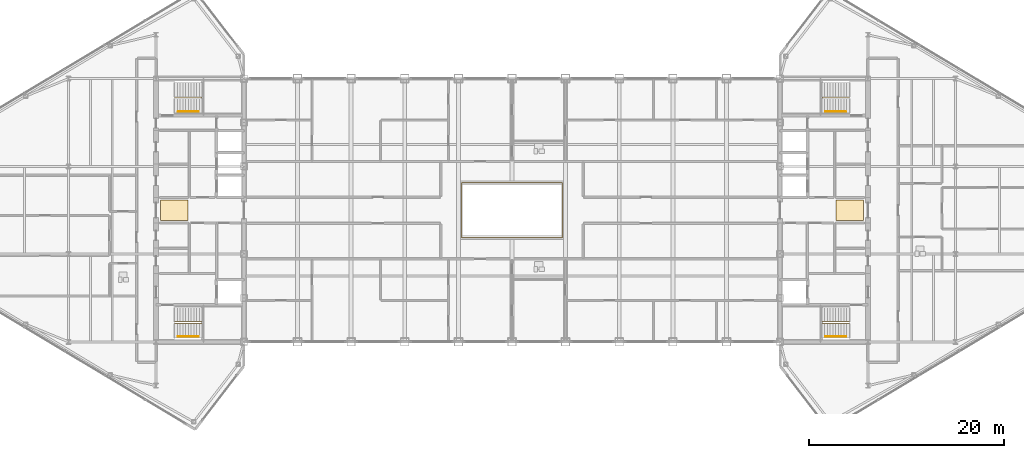
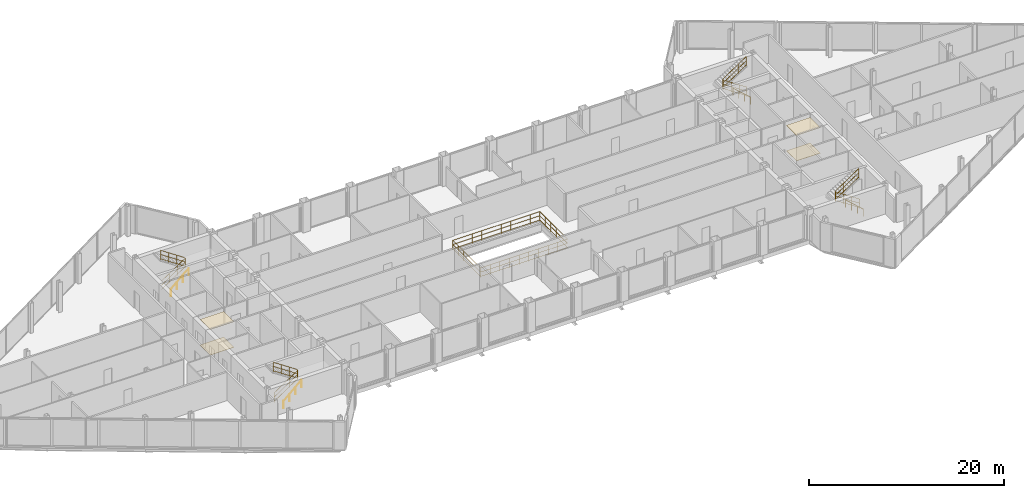
# One storey, part 28 of 29: 9 railings, 4 coverings.
"""IFC4 building model written with IfcOpenShell, lengths in metres."""

import ifcopenshell
import ifcopenshell.guid

model = None  # the IFC model being written
_history = None  # IfcOwnerHistory: only IFC2X3 demands one
_inside = {}  # id of a spatial element -> (the spatial element, [elements in it])
_under = {}  # id of a project, library or spatial element -> (it, [spatial elements below it])
_declared = {}  # id of a project -> (the project, [libraries it declares])
_typed = {}  # id of a type object -> (the type object, [elements of that type])
_made_of = {}  # id of a material, layer set ... -> (it, [elements and type objects made of it])


def new_model(schema):
    """Start an empty IFC model of exactly this schema.

    Asked for "IFC4X3", IfcOpenShell would pick the latest addendum, in which some entities
    have other attributes; the version numbers below select the first issue.
    IFC2X3 requires an IfcOwnerHistory on every rooted entity: one is made here for all.
    """
    global model, _history
    if schema == "IFC4X3":
        model = ifcopenshell.file(schema_version=(4, 3, 0, 0))
    else:
        model = ifcopenshell.file(schema=schema)
    _inside.clear()
    _under.clear()
    _declared.clear()
    _typed.clear()
    _made_of.clear()
    _history = None
    if model.schema == "IFC2X3":
        org = make("IfcOrganization", Name="unknown")
        user = make(
            "IfcPersonAndOrganization",
            ThePerson=make("IfcPerson", FamilyName="unknown"),
            TheOrganization=org,
        )
        app = make(
            "IfcApplication",
            ApplicationDeveloper=org,
            Version="unknown",
            ApplicationFullName="unknown",
            ApplicationIdentifier="unknown",
        )
        _history = make(
            "IfcOwnerHistory",
            OwningUser=user,
            OwningApplication=app,
            ChangeAction="ADDED",
            CreationDate=0,
        )
    return model


def make(cls, **values):
    """One entity of the class cls with the attributes given. An attribute that is None is left unset."""
    return model.create_entity(
        cls, **{name: value for name, value in values.items() if value is not None}
    )


def rooted(cls, **values):
    """An entity with a GlobalId (a new one), such as an element, a storey or a relation."""
    return make(cls, GlobalId=ifcopenshell.guid.new(), OwnerHistory=_history, **values)


def si_unit(unit_type, name, prefix=None):
    """IfcSIUnit, for example si_unit("LENGTHUNIT", "METRE", prefix="MILLI")."""
    return make("IfcSIUnit", UnitType=unit_type, Prefix=prefix, Name=name)


def assignment(units):
    """IfcUnitAssignment: the units of a project."""
    return None if units is None else make("IfcUnitAssignment", Units=units)


def point(xyz):
    """IfcCartesianPoint."""
    return None if xyz is None else make("IfcCartesianPoint", Coordinates=xyz)


def direction(xyz):
    """IfcDirection."""
    return None if xyz is None else make("IfcDirection", DirectionRatios=xyz)


def frame(location, z_axis=None, x_axis=None):
    """IfcAxis2Placement3D, a coordinate frame: its origin and axes. An axis left out is left unset."""
    return make(
        "IfcAxis2Placement3D",
        Location=point(location),
        Axis=direction(z_axis),
        RefDirection=direction(x_axis),
    )


def frame_2d(location, x_axis=None):
    """IfcAxis2Placement2D, a coordinate frame in the plane: its origin and x axis."""
    return make(
        "IfcAxis2Placement2D", Location=point(location), RefDirection=direction(x_axis)
    )


def origin():
    """The frame at (0, 0, 0) with its axes left unset."""
    return frame((0.0, 0.0, 0.0))


def origin_2d():
    """The frame at (0, 0) in the plane with its x axis left unset."""
    return frame_2d((0.0, 0.0))


def place(relative_to, where):
    """IfcLocalPlacement: puts the frame where relative to a parent placement (None: the world)."""
    return make(
        "IfcLocalPlacement", PlacementRelTo=relative_to, RelativePlacement=where
    )


def context(
    kind, dimensions, precision=None, world=None, true_north=None, identifier=None
):
    """IfcGeometricRepresentationContext, for example the 3D "Model" context."""
    return make(
        "IfcGeometricRepresentationContext",
        ContextIdentifier=identifier,
        ContextType=kind,
        CoordinateSpaceDimension=dimensions,
        Precision=precision,
        WorldCoordinateSystem=world,
        TrueNorth=true_north,
    )


def subcontext(parent, identifier, kind, view, scale=None):
    """IfcGeometricRepresentationSubContext, for example "Body" below "Model"."""
    return make(
        "IfcGeometricRepresentationSubContext",
        ContextIdentifier=identifier,
        ContextType=kind,
        ParentContext=parent,
        TargetScale=scale,
        TargetView=view,
    )


def project(units=None, contexts=None):
    """IfcProject with its units and contexts."""
    return rooted(
        "IfcProject",
        Name="project",
        RepresentationContexts=contexts,
        UnitsInContext=assignment(units),
    )


def spatial(cls, under=None, at=None, **own):
    """A site, building, storey or space (cls), placed at a placement, below another one or the project."""
    s = rooted(cls, ObjectPlacement=at, **own)
    if under is not None:
        _under.setdefault(under.id(), (under, []))[1].append(s)
    return s


def polyline(points):
    """IfcPolyline through the points."""
    return make("IfcPolyline", Points=[point(p) for p in points])


def profile(cls, at=None, kind="AREA", **sizes):
    """A parametric profile (cls). Its sizes go by their IFC names, for example OverallWidth=200.0."""
    return make(cls, ProfileType=kind, Position=at, **sizes)


def circle(**sizes):
    """IfcCircleProfileDef."""
    return profile("IfcCircleProfileDef", **sizes)


def outline(outer, holes=None, kind="AREA"):
    """IfcArbitraryClosedProfileDef: a profile drawn as a closed curve; with holes, ...WithVoids."""
    if holes is None:
        return make("IfcArbitraryClosedProfileDef", ProfileType=kind, OuterCurve=outer)
    return make(
        "IfcArbitraryProfileDefWithVoids",
        ProfileType=kind,
        OuterCurve=outer,
        InnerCurves=holes,
    )


def extrude(swept, where, along, depth):
    """IfcExtrudedAreaSolid: the profile swept, set in the frame where, extruded along a direction by depth."""
    return make(
        "IfcExtrudedAreaSolid",
        SweptArea=swept,
        Position=where,
        ExtrudedDirection=direction(along),
        Depth=depth,
    )


def shape(context_of_items, identifier, shape_type, items):
    """IfcShapeRepresentation: the items that make up one representation, for example the "Body"."""
    return make(
        "IfcShapeRepresentation",
        ContextOfItems=context_of_items,
        RepresentationIdentifier=identifier,
        RepresentationType=shape_type,
        Items=items,
    )


def material(Name=None, Category=None):
    """IfcMaterial."""
    return make("IfcMaterial", Name=Name, Category=Category)


def layer(
    of_material, thickness, ventilated=None, Name=None, Category=None, Priority=None
):
    """IfcMaterialLayer: one layer of a wall or slab, of a material (None: an air gap)."""
    return make(
        "IfcMaterialLayer",
        Material=of_material,
        LayerThickness=thickness,
        IsVentilated=ventilated,
        Name=Name,
        Category=Category,
        Priority=Priority,
    )


def layer_set(layers, Name=None):
    """IfcMaterialLayerSet."""
    return make("IfcMaterialLayerSet", MaterialLayers=layers, LayerSetName=Name)


def made_of(thing, what):
    """Note that an element or type object is made of a material, layer set ...; save() writes the relation."""
    if what is not None:
        _made_of.setdefault(what.id(), (what, []))[1].append(thing)
    return thing


def type_object(cls, material=None, **own):
    """A type object (cls), such as IfcWallType, which elements share."""
    return made_of(rooted(cls, **own), material)


def element(
    cls,
    number,
    at=None,
    inside=None,
    cuts=None,
    type_object=None,
    material=None,
    context=None,
    identifier="Body",
    shape_type=None,
    held_by="IfcProductDefinitionShape",
    body=None,
    shapes=None,
    **own,
):
    """One element of the class cls, such as IfcWall. Its Tag is "e" and its number.

    at: its placement. inside: the storey or other place that contains it. cuts: it is an
    opening in that element (IfcRelVoidsElement). A single representation is given by context,
    identifier, shape_type and body (its items); several are given by shapes. held_by: the class
    of the entity that holds the representations. save() writes the other relations.
    """
    e = rooted(cls, Tag="e%d" % number, ObjectPlacement=at, **own)
    if body is not None:
        shapes = [shape(context, identifier, shape_type, body)]
    if shapes is not None:
        e.Representation = make(held_by, Representations=shapes)
    if inside is not None:
        _inside.setdefault(inside.id(), (inside, []))[1].append(e)
    if cuts is not None:
        rooted(
            "IfcRelVoidsElement", RelatingBuildingElement=cuts, RelatedOpeningElement=e
        )
    if type_object is not None:
        _typed.setdefault(type_object.id(), (type_object, []))[1].append(e)
    return made_of(e, material)


def aggregate(whole, parts):
    """IfcRelAggregates: a whole, such as a stair, and the parts it consists of."""
    return rooted("IfcRelAggregates", RelatingObject=whole, RelatedObjects=parts)


def save(model, path):
    """Write the relations noted so far, then the file.

    IfcRelAggregates (storeys below a building ...), IfcRelContainedInSpatialStructure (elements
    in a storey), IfcRelDefinesByType, IfcRelAssociatesMaterial and IfcRelDeclares: one each for
    every whole, place, type object, material and project.
    """
    for whole, parts in _under.values():
        aggregate(whole, parts)
    for where, things in _inside.values():
        rooted(
            "IfcRelContainedInSpatialStructure",
            RelatedElements=things,
            RelatingStructure=where,
        )
    for kind, things in _typed.values():
        rooted("IfcRelDefinesByType", RelatedObjects=things, RelatingType=kind)
    for what, things in _made_of.values():
        rooted("IfcRelAssociatesMaterial", RelatedObjects=things, RelatingMaterial=what)
    for by, libraries in _declared.values():
        rooted("IfcRelDeclares", RelatingContext=by, RelatedDefinitions=libraries)
    model.write(path)


model = new_model("IFC4")

# Units and contexts
model_context = context("Model", 3, precision=1e-05, world=origin(), true_north=direction((0.0, 1.0)))
body_context = subcontext(model_context, "Body", "Model", "MODEL_VIEW")
ifc_project = project(units=[si_unit("LENGTHUNIT", "METRE"), si_unit("AREAUNIT", "SQUARE_METRE"), si_unit("VOLUMEUNIT", "CUBIC_METRE"), si_unit("PLANEANGLEUNIT", "RADIAN"), si_unit("MASSUNIT", "GRAM", prefix="KILO")], contexts=[model_context])

# Site, building, storey
site_placement = place(None, origin())
site = spatial("IfcSite", under=ifc_project, at=site_placement, CompositionType="ELEMENT")
building_placement = place(site_placement, origin())
building = spatial("IfcBuilding", under=site, at=building_placement, Name="Seokmaru Belvedere", CompositionType="ELEMENT")
storey_placement = place(building_placement, frame((0.0, 0.0, 243.14990234375)))
storey = spatial("IfcBuildingStorey", under=building, at=storey_placement, Name="L64", CompositionType="ELEMENT", Elevation=243.14990234375)

# Coverings
ifc_material_1 = material(Name="Engineered White Oak Timber", Category="wood")
ifc_layer_1 = layer(ifc_material_1, 0.02197265625)
ifc_layer_set_1 = layer_set([ifc_layer_1], Name="Engineered White Oak Timber")
covering_type_1 = type_object("IfcCoveringType", Name="Engineered Oak Residence Floor Finish 22", PredefinedType="FLOORING", material=ifc_layer_set_1)
covering_1_placement = place(storey_placement, origin())
element("IfcCovering", 1, at=covering_1_placement, inside=storey, type_object=covering_type_1, Name="L64 W Foyer Floor Finish", PredefinedType="FLOORING", context=body_context, shape_type="SweptSolid", body=[
    extrude(outline(polyline([(-36.050048828125, -1.050048828125), (-33.25, -1.050048828125), (-33.25, 1.050048828125), (-36.050048828125, 1.050048828125), (-36.050048828125, -1.050048828125)])), origin(), (0.0, 0.0, 1.0), 0.022216796875),
])
covering_2_placement = place(storey_placement, origin())
element("IfcCovering", 2, at=covering_2_placement, inside=storey, type_object=covering_type_1, Name="L64 E Foyer Floor Finish", PredefinedType="FLOORING", context=body_context, shape_type="SweptSolid", body=[
    extrude(outline(polyline([(33.25, -1.050048828125), (36.050048828125, -1.050048828125), (36.050048828125, 1.050048828125), (33.25, 1.050048828125), (33.25, -1.050048828125)])), origin(), (0.0, 0.0, 1.0), 0.022216796875),
])
ifc_material_2 = material(Name="Fire-Rated Gypsum Shaftwall")
ifc_layer_2 = layer(ifc_material_2, 0.02490234375)
ifc_layer_set_2 = layer_set([ifc_layer_2], Name="Fire-Rated Gypsum Shaftwall")
covering_type_2 = type_object("IfcCoveringType", Name="Perforated Acoustic Gypsum Suspended Ceiling 25", PredefinedType="CEILING", material=ifc_layer_set_2)
covering_3_placement = place(storey_placement, frame((0.0, 0.0, 3.18017578125)))
element("IfcCovering", 3, at=covering_3_placement, inside=storey, type_object=covering_type_2, Name="L64 W Lift Foyer Acoustic Ceiling", PredefinedType="CEILING", context=body_context, shape_type="SweptSolid", body=[
    extrude(outline(polyline([(-36.050048828125, -1.050048828125), (-33.25, -1.050048828125), (-33.25, 1.050048828125), (-36.050048828125, 1.050048828125), (-36.050048828125, -1.050048828125)])), origin(), (0.0, 0.0, 1.0), 0.02490234375),
])
covering_4_placement = place(storey_placement, frame((0.0, 0.0, 3.18017578125)))
element("IfcCovering", 4, at=covering_4_placement, inside=storey, type_object=covering_type_2, Name="L64 E Lift Foyer Acoustic Ceiling", PredefinedType="CEILING", context=body_context, shape_type="SweptSolid", body=[
    extrude(outline(polyline([(33.25, -1.050048828125), (36.050048828125, -1.050048828125), (36.050048828125, 1.050048828125), (33.25, 1.050048828125), (33.25, -1.050048828125)])), origin(), (0.0, 0.0, 1.0), 0.02490234375),
])

# Railings
ifc_material_3 = material(Name="Stainless Steel 316", Category="steel")
railing_type_1 = type_object("IfcRailingType", Name="Stainless Steel Wall and Flight Handrail 900", PredefinedType="HANDRAIL", material=ifc_material_3)
for number, where, name in (
    (5, (-34.25, -12.949951171875, 0.0), "L64 Stair ST-W1 Wall Handrail"),
    (6, (-34.25, 10.110107421875, 0.0), "L64 Stair ST-W2 Wall Handrail"),
):
    element("IfcRailing", number, at=place(storey_placement, frame(where)), inside=storey, type_object=railing_type_1, Name=name, PredefinedType="HANDRAIL", context=body_context, shape_type="SweptSolid", body=[
        extrude(circle(Radius=0.02392578125, at=origin_2d()), frame((0.0, 0.0, 0.8759765625), z_axis=(0.74595304797, 0.0, 0.665998536202), x_axis=(0.0, 1.0, 0.0)), (0.0, 0.0, 1.0), 2.8154296875),
        extrude(circle(Radius=0.02099609375, at=origin_2d()), origin(), (0.0, 0.0, 1.0), 0.851806640625),
        extrude(circle(Radius=0.02099609375, at=origin_2d()), frame((0.699951171875, 0.0, 0.625)), (0.0, 0.0, 1.0), 0.851806640625),
        extrude(circle(Radius=0.02099609375, at=origin_2d()), frame((1.400146484375, 0.0, 1.25)), (0.0, 0.0, 1.0), 0.851806640625),
        extrude(circle(Radius=0.02099609375, at=origin_2d()), frame((2.10009765625, 0.0, 1.875)), (0.0, 0.0, 1.0), 0.851806640625),
    ])
for number, where, name in (
    (7, (34.25, -12.949951171875, 0.0), "L64 Stair ST-E1 Wall Handrail"),
    (8, (34.25, 10.110107421875, 0.0), "L64 Stair ST-E2 Wall Handrail"),
):
    element("IfcRailing", number, at=place(storey_placement, frame(where)), inside=storey, type_object=railing_type_1, Name=name, PredefinedType="HANDRAIL", context=body_context, shape_type="SweptSolid", body=[
        extrude(circle(Radius=0.02392578125, at=origin_2d()), frame((0.0, 0.0, 0.8759765625), z_axis=(-0.74595304797, 0.0, 0.665998536202), x_axis=(0.0, -1.0, 0.0)), (0.0, 0.0, 1.0), 2.8154296875),
        extrude(circle(Radius=0.02099609375, at=origin_2d()), origin(), (0.0, 0.0, 1.0), 0.851806640625),
        extrude(circle(Radius=0.02099609375, at=origin_2d()), frame((-0.699951171875, 0.0, 0.625)), (0.0, 0.0, 1.0), 0.851806640625),
        extrude(circle(Radius=0.02099609375, at=origin_2d()), frame((-1.400146484375, 0.0, 1.25)), (0.0, 0.0, 1.0), 0.851806640625),
        extrude(circle(Radius=0.02099609375, at=origin_2d()), frame((-2.10009765625, 0.0, 1.875)), (0.0, 0.0, 1.0), 0.851806640625),
    ])
railing_type_2 = type_object("IfcRailingType", Name="Stair Well and Atrium Steel Guardrail 1200", PredefinedType="GUARDRAIL", material=ifc_material_3)
railing_1_placement = place(storey_placement, frame((-34.60009765625, -11.60009765625, 0.0)))
element("IfcRailing", 9, at=railing_1_placement, inside=storey, type_object=railing_type_2, Name="L64 Stair ST-W1 Inner Well Guardrail", PredefinedType="GUARDRAIL", context=body_context, shape_type="SweptSolid", body=[
    extrude(circle(Radius=0.02392578125, at=origin_2d()), frame((0.0, 0.0, 1.17578125), z_axis=(0.830911662861, 0.0, 0.55640435703), x_axis=(0.0, 1.0, 0.0)), (0.0, 0.0, 1.0), 3.369873046875),
    extrude(circle(Radius=0.02392578125, at=origin_2d()), frame((0.0, 0.0, 0.1201171875), z_axis=(0.830911662861, 0.0, 0.55640435703), x_axis=(0.0, 1.0, 0.0)), (0.0, 0.0, 1.0), 3.369873046875),
    extrude(circle(Radius=0.02392578125, at=origin_2d()), frame((0.0, 0.0, 0.659912109375), z_axis=(0.830911662861, 0.0, 0.55640435703), x_axis=(0.0, 1.0, 0.0)), (0.0, 0.0, 1.0), 3.369873046875),
    extrude(circle(Radius=0.02392578125, at=origin_2d()), frame((2.800048828125, 0.0, 3.05078125), z_axis=(0.0, 1.0, 0.0), x_axis=(-1.0, 0.0, 0.0)), (0.0, 0.0, 1.0), 0.14013671875),
    extrude(circle(Radius=0.02392578125, at=origin_2d()), frame((2.800048828125, 0.0, 1.9951171875), z_axis=(0.0, 1.0, 0.0), x_axis=(-1.0, 0.0, 0.0)), (0.0, 0.0, 1.0), 0.14013671875),
    extrude(circle(Radius=0.02392578125, at=origin_2d()), frame((2.800048828125, 0.0, 2.534912109375), z_axis=(0.0, 1.0, 0.0), x_axis=(-1.0, 0.0, 0.0)), (0.0, 0.0, 1.0), 0.14013671875),
    extrude(circle(Radius=0.02392578125, at=origin_2d()), frame((2.800048828125, 0.14013671875, 3.05078125), z_axis=(-0.830911662861, 0.0, 0.55640435703), x_axis=(0.0, -1.0, 0.0)), (0.0, 0.0, 1.0), 3.369873046875),
    extrude(circle(Radius=0.02392578125, at=origin_2d()), frame((2.800048828125, 0.14013671875, 1.9951171875), z_axis=(-0.830911662861, 0.0, 0.55640435703), x_axis=(0.0, -1.0, 0.0)), (0.0, 0.0, 1.0), 3.369873046875),
    extrude(circle(Radius=0.02392578125, at=origin_2d()), frame((2.800048828125, 0.14013671875, 2.534912109375), z_axis=(-0.830911662861, 0.0, 0.55640435703), x_axis=(0.0, -1.0, 0.0)), (0.0, 0.0, 1.0), 3.369873046875),
    extrude(circle(Radius=0.02099609375, at=origin_2d()), origin(), (0.0, 0.0, 1.0), 1.15185546875),
    extrude(circle(Radius=0.02099609375, at=origin_2d()), frame((0.933349609375, 0.0, 0.625)), (0.0, 0.0, 1.0), 1.15185546875),
    extrude(circle(Radius=0.02099609375, at=origin_2d()), frame((1.86669921875, 0.0, 1.25)), (0.0, 0.0, 1.0), 1.15185546875),
    extrude(circle(Radius=0.02099609375, at=origin_2d()), frame((2.800048828125, 0.0, 1.875)), (0.0, 0.0, 1.0), 1.15185546875),
    extrude(circle(Radius=0.02099609375, at=origin_2d()), frame((2.800048828125, 0.14013671875, 1.875)), (0.0, 0.0, 1.0), 1.15185546875),
    extrude(circle(Radius=0.02099609375, at=origin_2d()), frame((1.86669921875, 0.14013671875, 2.5)), (0.0, 0.0, 1.0), 1.15185546875),
    extrude(circle(Radius=0.02099609375, at=origin_2d()), frame((0.933349609375, 0.14013671875, 3.125)), (0.0, 0.0, 1.0), 1.15185546875),
    extrude(circle(Radius=0.02099609375, at=origin_2d()), frame((0.0, 0.14013671875, 3.75)), (0.0, 0.0, 1.0), 1.15185546875),
])
railing_2_placement = place(storey_placement, frame((-34.60009765625, 11.4599609375, 0.0)))
element("IfcRailing", 10, at=railing_2_placement, inside=storey, type_object=railing_type_2, Name="L64 Stair ST-W2 Inner Well Guardrail", PredefinedType="GUARDRAIL", context=body_context, shape_type="SweptSolid", body=[
    extrude(circle(Radius=0.02392578125, at=origin_2d()), frame((0.0, 0.0, 1.17578125), z_axis=(0.830911662861, 0.0, 0.55640435703), x_axis=(0.0, 1.0, 0.0)), (0.0, 0.0, 1.0), 3.369873046875),
    extrude(circle(Radius=0.02392578125, at=origin_2d()), frame((0.0, 0.0, 0.1201171875), z_axis=(0.830911662861, 0.0, 0.55640435703), x_axis=(0.0, 1.0, 0.0)), (0.0, 0.0, 1.0), 3.369873046875),
    extrude(circle(Radius=0.02392578125, at=origin_2d()), frame((0.0, 0.0, 0.659912109375), z_axis=(0.830911662861, 0.0, 0.55640435703), x_axis=(0.0, 1.0, 0.0)), (0.0, 0.0, 1.0), 3.369873046875),
    extrude(circle(Radius=0.02392578125, at=origin_2d()), frame((2.800048828125, 0.0, 3.05078125), z_axis=(0.0, 1.0, 0.0), x_axis=(-1.0, 0.0, 0.0)), (0.0, 0.0, 1.0), 0.14013671875),
    extrude(circle(Radius=0.02392578125, at=origin_2d()), frame((2.800048828125, 0.0, 1.9951171875), z_axis=(0.0, 1.0, 0.0), x_axis=(-1.0, 0.0, 0.0)), (0.0, 0.0, 1.0), 0.14013671875),
    extrude(circle(Radius=0.02392578125, at=origin_2d()), frame((2.800048828125, 0.0, 2.534912109375), z_axis=(0.0, 1.0, 0.0), x_axis=(-1.0, 0.0, 0.0)), (0.0, 0.0, 1.0), 0.14013671875),
    extrude(circle(Radius=0.02392578125, at=origin_2d()), frame((2.800048828125, 0.14013671875, 3.05078125), z_axis=(-0.830911662861, 0.0, 0.55640435703), x_axis=(0.0, -1.0, 0.0)), (0.0, 0.0, 1.0), 3.369873046875),
    extrude(circle(Radius=0.02392578125, at=origin_2d()), frame((2.800048828125, 0.14013671875, 1.9951171875), z_axis=(-0.830911662861, 0.0, 0.55640435703), x_axis=(0.0, -1.0, 0.0)), (0.0, 0.0, 1.0), 3.369873046875),
    extrude(circle(Radius=0.02392578125, at=origin_2d()), frame((2.800048828125, 0.14013671875, 2.534912109375), z_axis=(-0.830911662861, 0.0, 0.55640435703), x_axis=(0.0, -1.0, 0.0)), (0.0, 0.0, 1.0), 3.369873046875),
    extrude(circle(Radius=0.02099609375, at=origin_2d()), origin(), (0.0, 0.0, 1.0), 1.15185546875),
    extrude(circle(Radius=0.02099609375, at=origin_2d()), frame((0.933349609375, 0.0, 0.625)), (0.0, 0.0, 1.0), 1.15185546875),
    extrude(circle(Radius=0.02099609375, at=origin_2d()), frame((1.86669921875, 0.0, 1.25)), (0.0, 0.0, 1.0), 1.15185546875),
    extrude(circle(Radius=0.02099609375, at=origin_2d()), frame((2.800048828125, 0.0, 1.875)), (0.0, 0.0, 1.0), 1.15185546875),
    extrude(circle(Radius=0.02099609375, at=origin_2d()), frame((2.800048828125, 0.14013671875, 1.875)), (0.0, 0.0, 1.0), 1.15185546875),
    extrude(circle(Radius=0.02099609375, at=origin_2d()), frame((1.86669921875, 0.14013671875, 2.5)), (0.0, 0.0, 1.0), 1.15185546875),
    extrude(circle(Radius=0.02099609375, at=origin_2d()), frame((0.933349609375, 0.14013671875, 3.125)), (0.0, 0.0, 1.0), 1.15185546875),
    extrude(circle(Radius=0.02099609375, at=origin_2d()), frame((0.0, 0.14013671875, 3.75)), (0.0, 0.0, 1.0), 1.15185546875),
])
railing_3_placement = place(storey_placement, frame((34.60009765625, -11.60009765625, 0.0)))
element("IfcRailing", 11, at=railing_3_placement, inside=storey, type_object=railing_type_2, Name="L64 Stair ST-E1 Inner Well Guardrail", PredefinedType="GUARDRAIL", context=body_context, shape_type="SweptSolid", body=[
    extrude(circle(Radius=0.02392578125, at=origin_2d()), frame((0.0, 0.0, 1.17578125), z_axis=(-0.830911662861, 0.0, 0.55640435703), x_axis=(0.0, -1.0, 0.0)), (0.0, 0.0, 1.0), 3.369873046875),
    extrude(circle(Radius=0.02392578125, at=origin_2d()), frame((0.0, 0.0, 0.1201171875), z_axis=(-0.830911662861, 0.0, 0.55640435703), x_axis=(0.0, -1.0, 0.0)), (0.0, 0.0, 1.0), 3.369873046875),
    extrude(circle(Radius=0.02392578125, at=origin_2d()), frame((0.0, 0.0, 0.659912109375), z_axis=(-0.830911662861, 0.0, 0.55640435703), x_axis=(0.0, -1.0, 0.0)), (0.0, 0.0, 1.0), 3.369873046875),
    extrude(circle(Radius=0.02392578125, at=origin_2d()), frame((-2.800048828125, 0.0, 3.05078125), z_axis=(0.0, 1.0, 0.0), x_axis=(-1.0, 0.0, 0.0)), (0.0, 0.0, 1.0), 0.14013671875),
    extrude(circle(Radius=0.02392578125, at=origin_2d()), frame((-2.800048828125, 0.0, 1.9951171875), z_axis=(0.0, 1.0, 0.0), x_axis=(-1.0, 0.0, 0.0)), (0.0, 0.0, 1.0), 0.14013671875),
    extrude(circle(Radius=0.02392578125, at=origin_2d()), frame((-2.800048828125, 0.0, 2.534912109375), z_axis=(0.0, 1.0, 0.0), x_axis=(-1.0, 0.0, 0.0)), (0.0, 0.0, 1.0), 0.14013671875),
    extrude(circle(Radius=0.02392578125, at=origin_2d()), frame((-2.800048828125, 0.14013671875, 3.05078125), z_axis=(0.830911662861, 0.0, 0.55640435703), x_axis=(0.0, 1.0, 0.0)), (0.0, 0.0, 1.0), 3.369873046875),
    extrude(circle(Radius=0.02392578125, at=origin_2d()), frame((-2.800048828125, 0.14013671875, 1.9951171875), z_axis=(0.830911662861, 0.0, 0.55640435703), x_axis=(0.0, 1.0, 0.0)), (0.0, 0.0, 1.0), 3.369873046875),
    extrude(circle(Radius=0.02392578125, at=origin_2d()), frame((-2.800048828125, 0.14013671875, 2.534912109375), z_axis=(0.830911662861, 0.0, 0.55640435703), x_axis=(0.0, 1.0, 0.0)), (0.0, 0.0, 1.0), 3.369873046875),
    extrude(circle(Radius=0.02099609375, at=origin_2d()), origin(), (0.0, 0.0, 1.0), 1.15185546875),
    extrude(circle(Radius=0.02099609375, at=origin_2d()), frame((-0.933349609375, 0.0, 0.625)), (0.0, 0.0, 1.0), 1.15185546875),
    extrude(circle(Radius=0.02099609375, at=origin_2d()), frame((-1.86669921875, 0.0, 1.25)), (0.0, 0.0, 1.0), 1.15185546875),
    extrude(circle(Radius=0.02099609375, at=origin_2d()), frame((-2.800048828125, 0.0, 1.875)), (0.0, 0.0, 1.0), 1.15185546875),
    extrude(circle(Radius=0.02099609375, at=origin_2d()), frame((-2.800048828125, 0.14013671875, 1.875)), (0.0, 0.0, 1.0), 1.15185546875),
    extrude(circle(Radius=0.02099609375, at=origin_2d()), frame((-1.86669921875, 0.14013671875, 2.5)), (0.0, 0.0, 1.0), 1.15185546875),
    extrude(circle(Radius=0.02099609375, at=origin_2d()), frame((-0.933349609375, 0.14013671875, 3.125)), (0.0, 0.0, 1.0), 1.15185546875),
    extrude(circle(Radius=0.02099609375, at=origin_2d()), frame((0.0, 0.14013671875, 3.75)), (0.0, 0.0, 1.0), 1.15185546875),
])
railing_4_placement = place(storey_placement, frame((34.60009765625, 11.4599609375, 0.0)))
element("IfcRailing", 12, at=railing_4_placement, inside=storey, type_object=railing_type_2, Name="L64 Stair ST-E2 Inner Well Guardrail", PredefinedType="GUARDRAIL", context=body_context, shape_type="SweptSolid", body=[
    extrude(circle(Radius=0.02392578125, at=origin_2d()), frame((0.0, 0.0, 1.17578125), z_axis=(-0.830911662861, 0.0, 0.55640435703), x_axis=(0.0, -1.0, 0.0)), (0.0, 0.0, 1.0), 3.369873046875),
    extrude(circle(Radius=0.02392578125, at=origin_2d()), frame((0.0, 0.0, 0.1201171875), z_axis=(-0.830911662861, 0.0, 0.55640435703), x_axis=(0.0, -1.0, 0.0)), (0.0, 0.0, 1.0), 3.369873046875),
    extrude(circle(Radius=0.02392578125, at=origin_2d()), frame((0.0, 0.0, 0.659912109375), z_axis=(-0.830911662861, 0.0, 0.55640435703), x_axis=(0.0, -1.0, 0.0)), (0.0, 0.0, 1.0), 3.369873046875),
    extrude(circle(Radius=0.02392578125, at=origin_2d()), frame((-2.800048828125, 0.0, 3.05078125), z_axis=(0.0, 1.0, 0.0), x_axis=(-1.0, 0.0, 0.0)), (0.0, 0.0, 1.0), 0.14013671875),
    extrude(circle(Radius=0.02392578125, at=origin_2d()), frame((-2.800048828125, 0.0, 1.9951171875), z_axis=(0.0, 1.0, 0.0), x_axis=(-1.0, 0.0, 0.0)), (0.0, 0.0, 1.0), 0.14013671875),
    extrude(circle(Radius=0.02392578125, at=origin_2d()), frame((-2.800048828125, 0.0, 2.534912109375), z_axis=(0.0, 1.0, 0.0), x_axis=(-1.0, 0.0, 0.0)), (0.0, 0.0, 1.0), 0.14013671875),
    extrude(circle(Radius=0.02392578125, at=origin_2d()), frame((-2.800048828125, 0.14013671875, 3.05078125), z_axis=(0.830911662861, 0.0, 0.55640435703), x_axis=(0.0, 1.0, 0.0)), (0.0, 0.0, 1.0), 3.369873046875),
    extrude(circle(Radius=0.02392578125, at=origin_2d()), frame((-2.800048828125, 0.14013671875, 1.9951171875), z_axis=(0.830911662861, 0.0, 0.55640435703), x_axis=(0.0, 1.0, 0.0)), (0.0, 0.0, 1.0), 3.369873046875),
    extrude(circle(Radius=0.02392578125, at=origin_2d()), frame((-2.800048828125, 0.14013671875, 2.534912109375), z_axis=(0.830911662861, 0.0, 0.55640435703), x_axis=(0.0, 1.0, 0.0)), (0.0, 0.0, 1.0), 3.369873046875),
    extrude(circle(Radius=0.02099609375, at=origin_2d()), origin(), (0.0, 0.0, 1.0), 1.15185546875),
    extrude(circle(Radius=0.02099609375, at=origin_2d()), frame((-0.933349609375, 0.0, 0.625)), (0.0, 0.0, 1.0), 1.15185546875),
    extrude(circle(Radius=0.02099609375, at=origin_2d()), frame((-1.86669921875, 0.0, 1.25)), (0.0, 0.0, 1.0), 1.15185546875),
    extrude(circle(Radius=0.02099609375, at=origin_2d()), frame((-2.800048828125, 0.0, 1.875)), (0.0, 0.0, 1.0), 1.15185546875),
    extrude(circle(Radius=0.02099609375, at=origin_2d()), frame((-2.800048828125, 0.14013671875, 1.875)), (0.0, 0.0, 1.0), 1.15185546875),
    extrude(circle(Radius=0.02099609375, at=origin_2d()), frame((-1.86669921875, 0.14013671875, 2.5)), (0.0, 0.0, 1.0), 1.15185546875),
    extrude(circle(Radius=0.02099609375, at=origin_2d()), frame((-0.933349609375, 0.14013671875, 3.125)), (0.0, 0.0, 1.0), 1.15185546875),
    extrude(circle(Radius=0.02099609375, at=origin_2d()), frame((0.0, 0.14013671875, 3.75)), (0.0, 0.0, 1.0), 1.15185546875),
])
railing_5_placement = place(storey_placement, frame((-5.139892578125, -2.840087890625, 0.0)))
element("IfcRailing", 13, at=railing_5_placement, inside=storey, type_object=railing_type_2, Name="L64 Sky-Gate Atrium Void Balustrade", PredefinedType="GUARDRAIL", context=body_context, shape_type="SweptSolid", body=[
    extrude(circle(Radius=0.02392578125, at=origin_2d()), frame((0.0, 0.0, 1.17578125), z_axis=(1.0, 0.0, 0.0), x_axis=(0.0, 1.0, 0.0)), (0.0, 0.0, 1.0), 10.27978515625),
    extrude(circle(Radius=0.02392578125, at=origin_2d()), frame((0.0, 0.0, 0.1201171875), z_axis=(1.0, 0.0, 0.0), x_axis=(0.0, 1.0, 0.0)), (0.0, 0.0, 1.0), 10.27978515625),
    extrude(circle(Radius=0.02392578125, at=origin_2d()), frame((0.0, 0.0, 0.659912109375), z_axis=(1.0, 0.0, 0.0), x_axis=(0.0, 1.0, 0.0)), (0.0, 0.0, 1.0), 10.27978515625),
    extrude(circle(Radius=0.02392578125, at=origin_2d()), frame((10.27978515625, 0.0, 1.17578125), z_axis=(0.0, 1.0, 0.0), x_axis=(-1.0, 0.0, 0.0)), (0.0, 0.0, 1.0), 5.68017578125),
    extrude(circle(Radius=0.02392578125, at=origin_2d()), frame((10.27978515625, 0.0, 0.1201171875), z_axis=(0.0, 1.0, 0.0), x_axis=(-1.0, 0.0, 0.0)), (0.0, 0.0, 1.0), 5.68017578125),
    extrude(circle(Radius=0.02392578125, at=origin_2d()), frame((10.27978515625, 0.0, 0.659912109375), z_axis=(0.0, 1.0, 0.0), x_axis=(-1.0, 0.0, 0.0)), (0.0, 0.0, 1.0), 5.68017578125),
    extrude(circle(Radius=0.02392578125, at=origin_2d()), frame((10.27978515625, 5.68017578125, 1.17578125), z_axis=(-1.0, 0.0, 0.0), x_axis=(0.0, -1.0, 0.0)), (0.0, 0.0, 1.0), 10.27978515625),
    extrude(circle(Radius=0.02392578125, at=origin_2d()), frame((10.27978515625, 5.68017578125, 0.1201171875), z_axis=(-1.0, 0.0, 0.0), x_axis=(0.0, -1.0, 0.0)), (0.0, 0.0, 1.0), 10.27978515625),
    extrude(circle(Radius=0.02392578125, at=origin_2d()), frame((10.27978515625, 5.68017578125, 0.659912109375), z_axis=(-1.0, 0.0, 0.0), x_axis=(0.0, -1.0, 0.0)), (0.0, 0.0, 1.0), 10.27978515625),
    extrude(circle(Radius=0.02392578125, at=origin_2d()), frame((0.0, 5.68017578125, 1.17578125), z_axis=(0.0, -1.0, 0.0), x_axis=(1.0, 0.0, 0.0)), (0.0, 0.0, 1.0), 5.68017578125),
    extrude(circle(Radius=0.02392578125, at=origin_2d()), frame((0.0, 5.68017578125, 0.1201171875), z_axis=(0.0, -1.0, 0.0), x_axis=(1.0, 0.0, 0.0)), (0.0, 0.0, 1.0), 5.68017578125),
    extrude(circle(Radius=0.02392578125, at=origin_2d()), frame((0.0, 5.68017578125, 0.659912109375), z_axis=(0.0, -1.0, 0.0), x_axis=(1.0, 0.0, 0.0)), (0.0, 0.0, 1.0), 5.68017578125),
    extrude(circle(Radius=0.02099609375, at=origin_2d()), origin(), (0.0, 0.0, 1.0), 1.15185546875),
    extrude(circle(Radius=0.02099609375, at=origin_2d()), frame((1.14208984375, 0.0, 0.0)), (0.0, 0.0, 1.0), 1.15185546875),
    extrude(circle(Radius=0.02099609375, at=origin_2d()), frame((2.284423828125, 0.0, 0.0)), (0.0, 0.0, 1.0), 1.15185546875),
    extrude(circle(Radius=0.02099609375, at=origin_2d()), frame((3.426513671875, 0.0, 0.0)), (0.0, 0.0, 1.0), 1.15185546875),
    extrude(circle(Radius=0.02099609375, at=origin_2d()), frame((4.56884765625, 0.0, 0.0)), (0.0, 0.0, 1.0), 1.15185546875),
    extrude(circle(Radius=0.02099609375, at=origin_2d()), frame((5.7109375, 0.0, 0.0)), (0.0, 0.0, 1.0), 1.15185546875),
    extrude(circle(Radius=0.02099609375, at=origin_2d()), frame((6.853271484375, 0.0, 0.0)), (0.0, 0.0, 1.0), 1.15185546875),
    extrude(circle(Radius=0.02099609375, at=origin_2d()), frame((7.995361328125, 0.0, 0.0)), (0.0, 0.0, 1.0), 1.15185546875),
    extrude(circle(Radius=0.02099609375, at=origin_2d()), frame((9.1376953125, 0.0, 0.0)), (0.0, 0.0, 1.0), 1.15185546875),
    extrude(circle(Radius=0.02099609375, at=origin_2d()), frame((10.27978515625, 0.0, 0.0)), (0.0, 0.0, 1.0), 1.15185546875),
    extrude(circle(Radius=0.02099609375, at=origin_2d()), frame((10.27978515625, 1.135986328125, 0.0)), (0.0, 0.0, 1.0), 1.15185546875),
    extrude(circle(Radius=0.02099609375, at=origin_2d()), frame((10.27978515625, 2.27197265625, 0.0)), (0.0, 0.0, 1.0), 1.15185546875),
    extrude(circle(Radius=0.02099609375, at=origin_2d()), frame((10.27978515625, 3.408203125, 0.0)), (0.0, 0.0, 1.0), 1.15185546875),
    extrude(circle(Radius=0.02099609375, at=origin_2d()), frame((10.27978515625, 4.544189453125, 0.0)), (0.0, 0.0, 1.0), 1.15185546875),
    extrude(circle(Radius=0.02099609375, at=origin_2d()), frame((10.27978515625, 5.68017578125, 0.0)), (0.0, 0.0, 1.0), 1.15185546875),
    extrude(circle(Radius=0.02099609375, at=origin_2d()), frame((9.1376953125, 5.68017578125, 0.0)), (0.0, 0.0, 1.0), 1.15185546875),
    extrude(circle(Radius=0.02099609375, at=origin_2d()), frame((7.995361328125, 5.68017578125, 0.0)), (0.0, 0.0, 1.0), 1.15185546875),
    extrude(circle(Radius=0.02099609375, at=origin_2d()), frame((6.853271484375, 5.68017578125, 0.0)), (0.0, 0.0, 1.0), 1.15185546875),
    extrude(circle(Radius=0.02099609375, at=origin_2d()), frame((5.7109375, 5.68017578125, 0.0)), (0.0, 0.0, 1.0), 1.15185546875),
    extrude(circle(Radius=0.02099609375, at=origin_2d()), frame((4.56884765625, 5.68017578125, 0.0)), (0.0, 0.0, 1.0), 1.15185546875),
    extrude(circle(Radius=0.02099609375, at=origin_2d()), frame((3.426513671875, 5.68017578125, 0.0)), (0.0, 0.0, 1.0), 1.15185546875),
    extrude(circle(Radius=0.02099609375, at=origin_2d()), frame((2.284423828125, 5.68017578125, 0.0)), (0.0, 0.0, 1.0), 1.15185546875),
    extrude(circle(Radius=0.02099609375, at=origin_2d()), frame((1.14208984375, 5.68017578125, 0.0)), (0.0, 0.0, 1.0), 1.15185546875),
    extrude(circle(Radius=0.02099609375, at=origin_2d()), frame((0.0, 5.68017578125, 0.0)), (0.0, 0.0, 1.0), 1.15185546875),
    extrude(circle(Radius=0.02099609375, at=origin_2d()), frame((0.0, 4.544189453125, 0.0)), (0.0, 0.0, 1.0), 1.15185546875),
    extrude(circle(Radius=0.02099609375, at=origin_2d()), frame((0.0, 3.408203125, 0.0)), (0.0, 0.0, 1.0), 1.15185546875),
    extrude(circle(Radius=0.02099609375, at=origin_2d()), frame((0.0, 2.27197265625, 0.0)), (0.0, 0.0, 1.0), 1.15185546875),
    extrude(circle(Radius=0.02099609375, at=origin_2d()), frame((0.0, 1.135986328125, 0.0)), (0.0, 0.0, 1.0), 1.15185546875),
])

save(model, "model.ifc")
